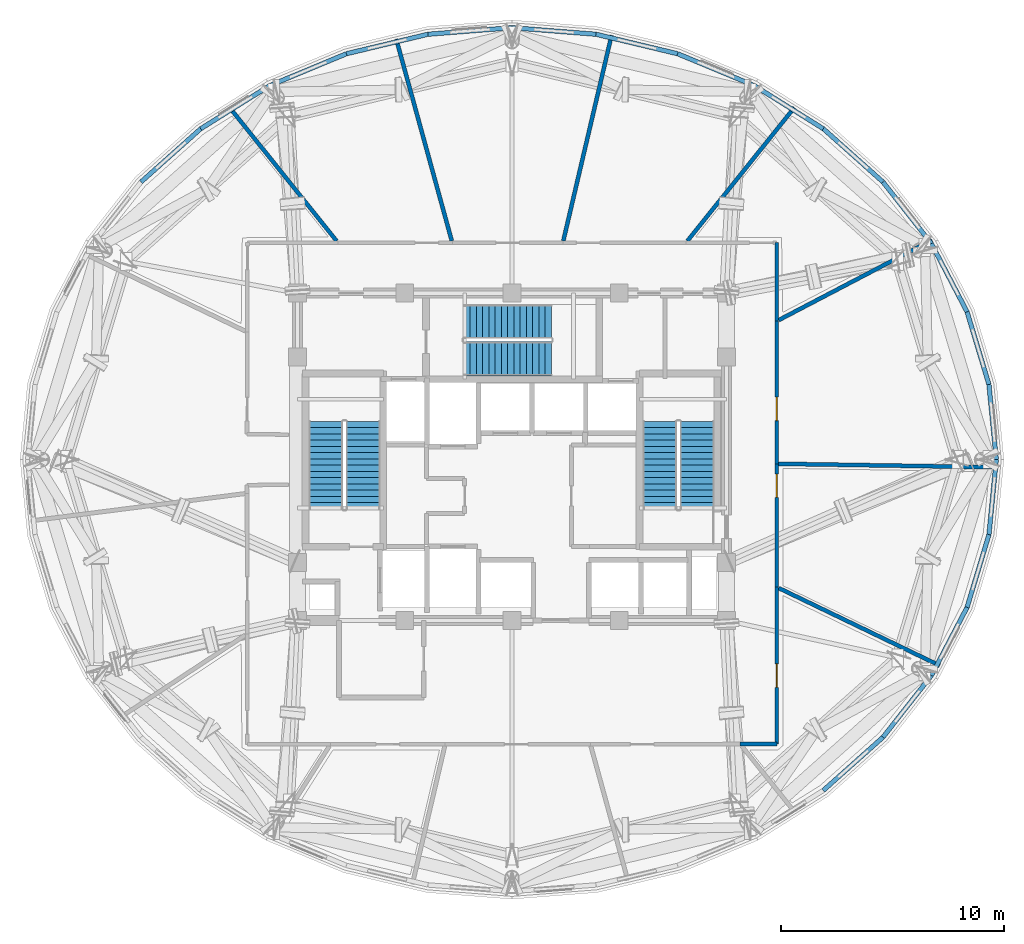
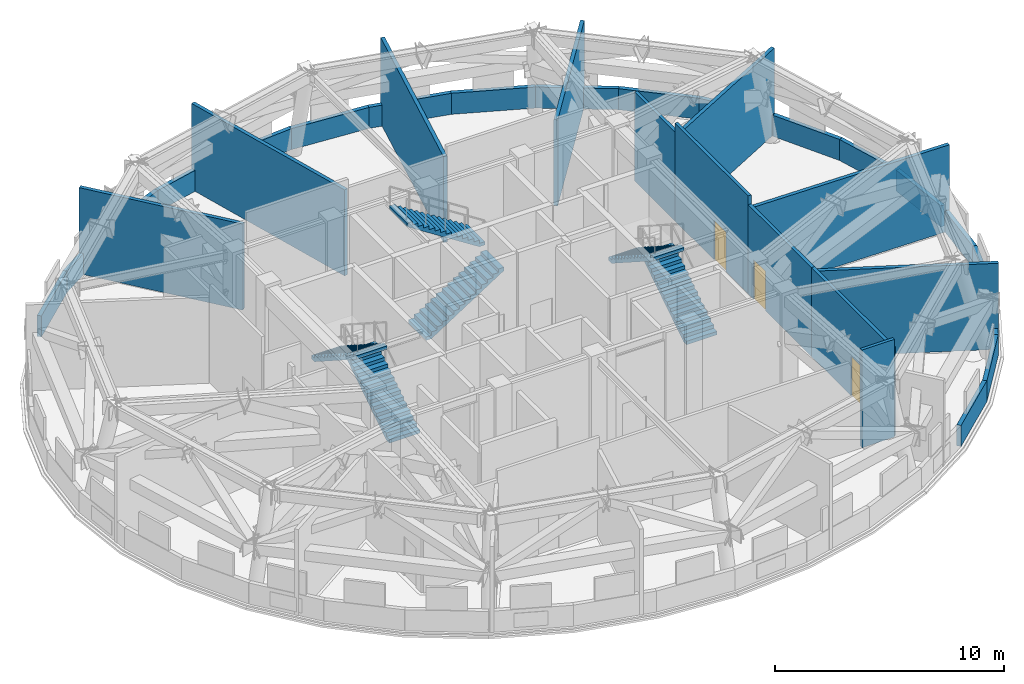
# One storey, part 9 of 13: 31 walls, 6 stair flights, 3 doors, 3 openings, 3 elements without a shape of their own.
"""IFC4 building model written with IfcOpenShell, lengths in metres."""

from ifc_helpers import new_model, si_unit, direction, frame, frame_2d, origin, place, context, subcontext, project, spatial, polyline, rectangle, outline, extrude, material, layer, layer_set, type_object, element, fill, aggregate, save


model = new_model("IFC4")

# Units and contexts
model_context = context("Model", 3, precision=1e-05, world=origin(), true_north=direction((0.0, 1.0)))
body_context = subcontext(model_context, "Body", "Model", "MODEL_VIEW")
ifc_project = project(units=[si_unit("LENGTHUNIT", "METRE"), si_unit("AREAUNIT", "SQUARE_METRE"), si_unit("VOLUMEUNIT", "CUBIC_METRE"), si_unit("PLANEANGLEUNIT", "RADIAN"), si_unit("MASSUNIT", "GRAM", prefix="KILO")], contexts=[model_context])

# Site, building, storey
site_placement = place(None, origin())
site = spatial("IfcSite", under=ifc_project, at=site_placement, CompositionType="ELEMENT")
building_placement = place(site_placement, origin())
building = spatial("IfcBuilding", under=site, at=building_placement, Name="Vantalir Tower", CompositionType="ELEMENT")
storey_placement = place(building_placement, frame((0.0, 0.0, 253.64990234375)))
storey = spatial("IfcBuildingStorey", under=building, at=storey_placement, Name="L64", CompositionType="ELEMENT", Elevation=253.64990234375)

# Wall
ifc_material_1 = material(Name="Fire-rated hotel corridor acoustic partition", Category="gypsum")
ifc_layer_1 = layer(ifc_material_1, 0.159912109375)
ifc_layer_set_1 = layer_set([ifc_layer_1], Name="Fire-rated hotel corridor acoustic partition")
wall_type_1 = type_object("IfcWallType", Name="WL-CORR-160", PredefinedType="PARTITIONING", material=ifc_layer_set_1)
wall_1_placement = place(storey_placement, frame((43.346923828125, 34.7080078125, 0.0), z_axis=(0.0, 0.0, 1.0), x_axis=(0.000625651598, -0.99999980428, 0.0)))
element("IfcWall", 1, at=wall_1_placement, inside=storey, type_object=wall_type_1, Name="L64 Corridor Partition 09", PredefinedType="PARTITIONING", context=body_context, shape_type="SweptSolid", body=[
    extrude(rectangle(XDim=3.511962890625, YDim=0.159912109375, at=frame_2d((1.755859375, 0.0))), origin(), (0.0, 0.0, 1.0), 4.733154296875),
])

# Wall, opening, door
wall_2_placement = place(storey_placement, frame((43.34912109375, 31.196044921875, 0.0), z_axis=(0.0, 0.0, 1.0), x_axis=(0.000458908514, -0.999999894701, 0.0)))
wall_2 = element("IfcWall", 2, at=wall_2_placement, inside=storey, type_object=wall_type_1, Name="L64 Corridor Partition 10", PredefinedType="PARTITIONING", context=body_context, shape_type="SweptSolid", body=[
    extrude(rectangle(XDim=6.384033203125, YDim=0.159912109375, at=frame_2d((3.19189453125, 0.0))), origin(), (0.0, 0.0, 1.0), 5.2001953125),
])
opening_1_placement = place(wall_2_placement, frame((3.404052734375, 0.0, 0.0)))
opening_1 = element("IfcOpeningElement", 3, at=opening_1_placement, cuts=wall_2, Name="Opening D-ST", PredefinedType="OPENING", context=body_context, shape_type="SweptSolid", body=[
    extrude(rectangle(XDim=1.050048828125, YDim=2.10009765625, at=frame_2d((0.52490234375, 1.050048828125))), frame((0.0, 0.08984375, 0.0), z_axis=(0.0, -1.0, 0.0), x_axis=(1.0, 0.0, 0.0)), (0.0, 0.0, 1.0), 0.179931640625),
])
ifc_material_2 = material(Name="Fire-rated steel door leaf", Category="steel")
door_type = type_object("IfcDoorType", Name="DR-FIRE-STAIR-1050", OperationType="NOTDEFINED", PredefinedType="DOOR", material=ifc_material_2)
door_1_placement = place(opening_1_placement, origin())
door_1 = element("IfcDoor", 4, at=door_1_placement, inside=storey, type_object=door_type, Name="L64 Refuge Area East Door", OperationType="SINGLE_SWING_LEFT", OverallHeight=2.10009765625, OverallWidth=1.050048828125, PredefinedType="DOOR", context=body_context, shape_type="SweptSolid", body=[
    extrude(rectangle(XDim=1.050048828125, YDim=2.10009765625, at=frame_2d((0.52490234375, 1.050048828125))), frame((0.0, 0.02490234375, 0.0), z_axis=(0.0, -1.0, 0.0), x_axis=(1.0, 0.0, 0.0)), (0.0, 0.0, 1.0), 0.050048828125),
])
fill(opening_1, door_1)

wall_3_placement = place(storey_placement, frame((43.35205078125, 24.81201171875, 0.0), z_axis=(0.0, 0.0, 1.0), x_axis=(0.000530644659, -0.999999859208, 0.0)))
wall_3 = element("IfcWall", 5, at=wall_3_placement, inside=storey, type_object=wall_type_1, Name="L64 Corridor Partition 11", PredefinedType="PARTITIONING", context=body_context, shape_type="SweptSolid", body=[
    extrude(rectangle(XDim=5.52099609375, YDim=0.159912109375, at=frame_2d((2.760498046875, 0.0))), origin(), (0.0, 0.0, 1.0), 4.733154296875),
])
opening_2_placement = place(wall_3_placement, frame((0.45703125, 0.0, 0.0)))
opening_2 = element("IfcOpeningElement", 6, at=opening_2_placement, cuts=wall_3, Name="Opening D-ST", PredefinedType="OPENING", context=body_context, shape_type="SweptSolid", body=[
    extrude(rectangle(XDim=1.050048828125, YDim=2.10009765625, at=frame_2d((0.52490234375, 1.050048828125))), frame((0.0, 0.08984375, 0.0), z_axis=(0.0, -1.0, 0.0), x_axis=(1.0, 0.0, 0.0)), (0.0, 0.0, 1.0), 0.179931640625),
])
door_2_placement = place(opening_2_placement, origin())
door_2 = element("IfcDoor", 7, at=door_2_placement, inside=storey, type_object=door_type, Name="L64 BMS Control Mechanical Plant Room Door", OperationType="SINGLE_SWING_RIGHT", OverallHeight=2.10009765625, OverallWidth=1.050048828125, PredefinedType="DOOR", context=body_context, shape_type="SweptSolid", body=[
    extrude(rectangle(XDim=1.050048828125, YDim=2.10009765625, at=frame_2d((0.52490234375, 1.050048828125))), frame((0.0, 0.02490234375, 0.0), z_axis=(0.0, -1.0, 0.0), x_axis=(1.0, 0.0, 0.0)), (0.0, 0.0, 1.0), 0.050048828125),
])
fill(opening_2, door_2)

wall_4_placement = place(storey_placement, frame((43.35498046875, 19.291015625, 0.0), z_axis=(0.0, 0.0, 1.0), x_axis=(0.00041715911, -0.999999912989, 0.0)))
wall_4 = element("IfcWall", 8, at=wall_4_placement, inside=storey, type_object=wall_type_1, Name="L64 Corridor Partition 12", PredefinedType="PARTITIONING", context=body_context, shape_type="SweptSolid", body=[
    extrude(rectangle(XDim=7.02294921875, YDim=0.159912109375, at=frame_2d((3.511474609375, 0.0))), origin(), (0.0, 0.0, 1.0), 4.733154296875),
])
opening_3_placement = place(wall_4_placement, frame((3.43310546875, 0.0, 0.0)))
opening_3 = element("IfcOpeningElement", 9, at=opening_3_placement, cuts=wall_4, Name="Opening D-ST", PredefinedType="OPENING", context=body_context, shape_type="SweptSolid", body=[
    extrude(rectangle(XDim=1.050048828125, YDim=2.10009765625, at=frame_2d((0.52490234375, 1.050048828125))), frame((0.0, 0.08984375, 0.0), z_axis=(0.0, -1.0, 0.0), x_axis=(1.0, 0.0, 0.0)), (0.0, 0.0, 1.0), 0.179931640625),
])
door_3_placement = place(opening_3_placement, origin())
door_3 = element("IfcDoor", 10, at=door_3_placement, inside=storey, type_object=door_type, Name="L64 Stair Pressurisation Fan Plant Room Door", OperationType="SINGLE_SWING_LEFT", OverallHeight=2.10009765625, OverallWidth=1.050048828125, PredefinedType="DOOR", context=body_context, shape_type="SweptSolid", body=[
    extrude(rectangle(XDim=1.050048828125, YDim=2.10009765625, at=frame_2d((0.52490234375, 1.050048828125))), frame((0.0, 0.02490234375, 0.0), z_axis=(0.0, -1.0, 0.0), x_axis=(1.0, 0.0, 0.0)), (0.0, 0.0, 1.0), 0.050048828125),
])
fill(opening_3, door_3)

# Walls
wall_5_placement = place(storey_placement, frame((43.35791015625, 12.26806640625, 0.0), z_axis=(0.0, 0.0, 1.0), x_axis=(-0.999999823791, -0.000593647862, 0.0)))
element("IfcWall", 11, at=wall_5_placement, inside=storey, type_object=wall_type_1, Name="L64 Corridor Partition 13", PredefinedType="PARTITIONING", context=body_context, shape_type="SweptSolid", body=[
    extrude(rectangle(XDim=1.64501953125, YDim=0.159912109375, at=frame_2d((0.822509765625, 0.0))), origin(), (0.0, 0.0, 1.0), 5.2001953125),
])
ifc_material_3 = material(Name="Twin-stud acoustic fire-rated gypsum partition", Category="gypsum")
ifc_layer_2 = layer(ifc_material_3, 0.179931640625)
ifc_layer_set_2 = layer_set([ifc_layer_2], Name="Twin-stud acoustic fire-rated gypsum partition")
wall_type_2 = type_object("IfcWallType", Name="WL-GUEST-180", PredefinedType="PARTITIONING", material=ifc_layer_set_2)
wall_6_placement = place(storey_placement, frame((43.43994140625, 24.81103515625, 0.0), z_axis=(0.0, 0.0, 1.0), x_axis=(0.999875563503, -0.015775218218, 0.0)))
element("IfcWall", 12, at=wall_6_placement, inside=storey, type_object=wall_type_2, Name="L64 Radial Suite Partition 01", PredefinedType="PARTITIONING", context=body_context, shape_type="SweptSolid", body=[
    extrude(rectangle(XDim=9.827392578125, YDim=0.179931640625, at=frame_2d((4.91357421875, 0.0))), origin(), (0.0, 0.0, 1.0), 4.5751953125),
])
wall_7_placement = place(storey_placement, frame((43.43994140625, 31.243896484375, 0.0), z_axis=(0.0, 0.0, 1.0), x_axis=(0.886132697357, 0.463431594385, 0.0)))
element("IfcWall", 13, at=wall_7_placement, inside=storey, type_object=wall_type_2, Name="L64 Radial Suite Partition 02", PredefinedType="PARTITIONING", context=body_context, shape_type="SweptSolid", body=[
    extrude(rectangle(XDim=7.73828125, YDim=0.179931640625, at=frame_2d((3.869140625, 0.0))), origin(), (0.0, 0.0, 1.0), 4.5751953125),
])
wall_8_placement = place(storey_placement, frame((39.35302734375, 34.7900390625, 0.0), z_axis=(0.0, 0.0, 1.0), x_axis=(0.62562461259, 0.780124249156, 0.0)))
element("IfcWall", 14, at=wall_8_placement, inside=storey, type_object=wall_type_2, Name="L64 Radial Suite Partition 03", PredefinedType="PARTITIONING", context=body_context, shape_type="SweptSolid", body=[
    extrude(rectangle(XDim=7.6513671875, YDim=0.179931640625, at=frame_2d((3.82568359375, 0.0))), origin(), (0.0, 0.0, 1.0), 4.5751953125),
])
wall_9_placement = place(storey_placement, frame((33.797119140625, 34.7900390625, 0.0), z_axis=(0.0, 0.0, 1.0), x_axis=(0.22849108233, 0.973546005742, 0.0)))
element("IfcWall", 15, at=wall_9_placement, inside=storey, type_object=wall_type_2, Name="L64 Radial Suite Partition 04", PredefinedType="PARTITIONING", context=body_context, shape_type="SweptSolid", body=[
    extrude(rectangle(XDim=9.457275390625, YDim=0.179931640625, at=frame_2d((4.728515625, 0.0))), origin(), (0.0, 0.0, 1.0), 4.5751953125),
])
wall_10_placement = place(storey_placement, frame((28.804931640625, 34.7900390625, 0.0), z_axis=(0.0, 0.0, 1.0), x_axis=(-0.265402950907, 0.96413758025, 0.0)))
element("IfcWall", 16, at=wall_10_placement, inside=storey, type_object=wall_type_2, Name="L64 Radial Suite Partition 05", PredefinedType="PARTITIONING", context=body_context, shape_type="SweptSolid", body=[
    extrude(rectangle(XDim=9.369873046875, YDim=0.179931640625, at=frame_2d((4.68505859375, 0.0))), origin(), (0.0, 0.0, 1.0), 4.5751953125),
])
wall_11_placement = place(storey_placement, frame((23.64697265625, 34.7900390625, 0.0), z_axis=(0.0, 0.0, 1.0), x_axis=(-0.62562461259, 0.780124249156, 0.0)))
element("IfcWall", 17, at=wall_11_placement, inside=storey, type_object=wall_type_2, Name="L64 Radial Suite Partition 06", PredefinedType="PARTITIONING", context=body_context, shape_type="SweptSolid", body=[
    extrude(rectangle(XDim=7.6513671875, YDim=0.179931640625, at=frame_2d((3.82568359375, 0.0))), origin(), (0.0, 0.0, 1.0), 4.5751953125),
])
wall_12_placement = place(storey_placement, frame((43.43994140625, 19.25, 0.0), z_axis=(0.0, 0.0, 1.0), x_axis=(0.900936685767, -0.433950559672, 0.0)))
element("IfcWall", 18, at=wall_12_placement, inside=storey, type_object=wall_type_2, Name="L64 Radial Suite Partition 14", PredefinedType="PARTITIONING", context=body_context, shape_type="SweptSolid", body=[
    extrude(rectangle(XDim=7.996337890625, YDim=0.179931640625, at=frame_2d((3.998046875, 0.0))), origin(), (0.0, 0.0, 1.0), 4.5751953125),
])
ifc_material_4 = material(Name="Concrete C40/50 parapet upstand", Category="concrete")
ifc_layer_3 = layer(ifc_material_4, 0.199951171875)
ifc_layer_set_3 = layer_set([ifc_layer_3], Name="Concrete C40/50 parapet upstand")
wall_type_3 = type_object("IfcWallType", Name="WL-PARA-200", PredefinedType="PARAPET", material=ifc_layer_set_3)
wall_13_placement = place(storey_placement, frame((53.179931640625, 25.0, 0.0), z_axis=(0.0, 0.0, 1.0), x_axis=(-0.097496920609, 0.995235826562, 0.0)))
element("IfcWall", 19, at=wall_13_placement, inside=storey, type_object=wall_type_3, Name="L64 Refuge Perimeter Parapet R01", PredefinedType="PARAPET", context=body_context, shape_type="SweptSolid", body=[
    extrude(rectangle(XDim=3.373046875, YDim=0.199951171875, at=frame_2d((1.6865234375, 0.0))), origin(), (0.0, 0.0, 1.0), 1.1201171875),
])
wall_14_placement = place(storey_placement, frame((52.85107421875, 28.35693359375, 0.0), z_axis=(0.0, 0.0, 1.0), x_axis=(-0.287670684646, 0.957729386202, 0.0)))
element("IfcWall", 20, at=wall_14_placement, inside=storey, type_object=wall_type_3, Name="L64 Refuge Perimeter Parapet R02", PredefinedType="PARAPET", context=body_context, shape_type="SweptSolid", body=[
    extrude(rectangle(XDim=3.39990234375, YDim=0.199951171875, at=frame_2d((1.699951171875, 0.0))), origin(), (0.0, 0.0, 1.0), 1.1201171875),
])
wall_15_placement = place(storey_placement, frame((51.873046875, 31.613037109375, 0.0), z_axis=(0.0, 0.0, 1.0), x_axis=(-0.463654949237, 0.886015850901, 0.0)))
element("IfcWall", 21, at=wall_15_placement, inside=storey, type_object=wall_type_3, Name="L64 Refuge Perimeter Parapet R03", PredefinedType="PARAPET", context=body_context, shape_type="SweptSolid", body=[
    extrude(rectangle(XDim=3.44677734375, YDim=0.199951171875, at=frame_2d((1.723388671875, 0.0))), origin(), (0.0, 0.0, 1.0), 1.1201171875),
])
wall_16_placement = place(storey_placement, frame((50.27490234375, 34.6669921875, 0.0), z_axis=(0.0, 0.0, 1.0), x_axis=(-0.617406744437, 0.786644082113, 0.0)))
element("IfcWall", 22, at=wall_16_placement, inside=storey, type_object=wall_type_3, Name="L64 Refuge Perimeter Parapet R04", PredefinedType="PARAPET", context=body_context, shape_type="SweptSolid", body=[
    extrude(rectangle(XDim=3.509765625, YDim=0.199951171875, at=frame_2d((1.7548828125, 0.0))), origin(), (0.0, 0.0, 1.0), 1.1201171875),
])
wall_17_placement = place(storey_placement, frame((48.10791015625, 37.427978515625, 0.0), z_axis=(0.0, 0.0, 1.0), x_axis=(-0.74629085689, 0.665619979359, 0.0)))
element("IfcWall", 23, at=wall_17_placement, inside=storey, type_object=wall_type_3, Name="L64 Refuge Perimeter Parapet R05", PredefinedType="PARAPET", context=body_context, shape_type="SweptSolid", body=[
    extrude(rectangle(XDim=3.580322265625, YDim=0.199951171875, at=frame_2d((1.7900390625, 0.0))), origin(), (0.0, 0.0, 1.0), 1.1201171875),
])
wall_18_placement = place(storey_placement, frame((45.43603515625, 39.81103515625, 0.0), z_axis=(0.0, 0.0, 1.0), x_axis=(-0.84825750298, 0.529583995828, 0.0)))
element("IfcWall", 24, at=wall_18_placement, inside=storey, type_object=wall_type_3, Name="L64 Refuge Perimeter Parapet R06", PredefinedType="PARAPET", context=body_context, shape_type="SweptSolid", body=[
    extrude(rectangle(XDim=3.649658203125, YDim=0.199951171875, at=frame_2d((1.82470703125, 0.0))), origin(), (0.0, 0.0, 1.0), 1.1201171875),
])
wall_19_placement = place(storey_placement, frame((42.340087890625, 41.743896484375, 0.0), z_axis=(0.0, 0.0, 1.0), x_axis=(-0.92336680677, 0.383918923935, 0.0)))
element("IfcWall", 25, at=wall_19_placement, inside=storey, type_object=wall_type_3, Name="L64 Refuge Perimeter Parapet R07", PredefinedType="PARAPET", context=body_context, shape_type="SweptSolid", body=[
    extrude(rectangle(XDim=3.709228515625, YDim=0.199951171875, at=frame_2d((1.8544921875, 0.0))), origin(), (0.0, 0.0, 1.0), 1.1201171875),
])
wall_20_placement = place(storey_placement, frame((38.9150390625, 43.16796875, 0.0), z_axis=(0.0, 0.0, 1.0), x_axis=(-0.972626535049, 0.23237388691, 0.0)))
element("IfcWall", 26, at=wall_20_placement, inside=storey, type_object=wall_type_3, Name="L64 Refuge Perimeter Parapet R08", PredefinedType="PARAPET", context=body_context, shape_type="SweptSolid", body=[
    extrude(rectangle(XDim=3.7529296875, YDim=0.199951171875, at=frame_2d((1.87646484375, 0.0))), origin(), (0.0, 0.0, 1.0), 1.1201171875),
])
for number, where, z_axis, x_axis, name in (
    (27, (35.264892578125, 44.0400390625, 0.0), (0.0, 0.0, 1.0), (-0.996965983674, 0.077838469901, 0.0), "L64 Refuge Perimeter Parapet R09"),
    (28, (31.5, 44.333984375, 0.0), (0.0, 0.0, 1.0), (-0.996965983674, -0.077838469901, 0.0), "L64 Refuge Perimeter Parapet R10"),
):
    element("IfcWall", number, at=place(storey_placement, frame(where, z_axis=z_axis, x_axis=x_axis)), inside=storey, type_object=wall_type_3, Name=name, PredefinedType="PARAPET", context=body_context, shape_type="SweptSolid", body=[
        extrude(rectangle(XDim=3.7763671875, YDim=0.199951171875, at=frame_2d((1.88818359375, 0.0))), origin(), (0.0, 0.0, 1.0), 1.1201171875),
    ])
wall_21_placement = place(storey_placement, frame((27.735107421875, 44.0400390625, 0.0), z_axis=(0.0, 0.0, 1.0), x_axis=(-0.972626535049, -0.23237388691, 0.0)))
element("IfcWall", 29, at=wall_21_placement, inside=storey, type_object=wall_type_3, Name="L64 Refuge Perimeter Parapet R11", PredefinedType="PARAPET", context=body_context, shape_type="SweptSolid", body=[
    extrude(rectangle(XDim=3.7529296875, YDim=0.199951171875, at=frame_2d((1.87646484375, 0.0))), origin(), (0.0, 0.0, 1.0), 1.1201171875),
])
wall_22_placement = place(storey_placement, frame((24.0849609375, 43.16796875, 0.0), z_axis=(0.0, 0.0, 1.0), x_axis=(-0.92336680677, -0.383918923935, 0.0)))
element("IfcWall", 30, at=wall_22_placement, inside=storey, type_object=wall_type_3, Name="L64 Refuge Perimeter Parapet R12", PredefinedType="PARAPET", context=body_context, shape_type="SweptSolid", body=[
    extrude(rectangle(XDim=3.709228515625, YDim=0.199951171875, at=frame_2d((1.8544921875, 0.0))), origin(), (0.0, 0.0, 1.0), 1.1201171875),
])
wall_23_placement = place(storey_placement, frame((20.659912109375, 41.743896484375, 0.0), z_axis=(0.0, 0.0, 1.0), x_axis=(-0.84825750298, -0.529583995828, 0.0)))
element("IfcWall", 31, at=wall_23_placement, inside=storey, type_object=wall_type_3, Name="L64 Refuge Perimeter Parapet R13", PredefinedType="PARAPET", context=body_context, shape_type="SweptSolid", body=[
    extrude(rectangle(XDim=3.649658203125, YDim=0.199951171875, at=frame_2d((1.82470703125, 0.0))), origin(), (0.0, 0.0, 1.0), 1.1201171875),
])
for number, where, z_axis, x_axis, name in (
    (32, (17.56396484375, 39.81103515625, 0.0), (0.0, 0.0, 1.0), (-0.74629085689, -0.665619979359, 0.0), "L64 Refuge Perimeter Parapet R14"),
    (33, (45.43603515625, 10.18896484375, 0.0), (0.0, 0.0, 1.0), (0.74629085689, 0.665619979359, 0.0), "L64 Refuge Perimeter Parapet R32"),
):
    element("IfcWall", number, at=place(storey_placement, frame(where, z_axis=z_axis, x_axis=x_axis)), inside=storey, type_object=wall_type_3, Name=name, PredefinedType="PARAPET", context=body_context, shape_type="SweptSolid", body=[
        extrude(rectangle(XDim=3.580322265625, YDim=0.199951171875, at=frame_2d((1.7900390625, 0.0))), origin(), (0.0, 0.0, 1.0), 1.1201171875),
    ])
wall_24_placement = place(storey_placement, frame((48.10791015625, 12.572021484375, 0.0), z_axis=(0.0, 0.0, 1.0), x_axis=(0.617406744437, 0.786644082113, 0.0)))
element("IfcWall", 34, at=wall_24_placement, inside=storey, type_object=wall_type_3, Name="L64 Refuge Perimeter Parapet R33", PredefinedType="PARAPET", context=body_context, shape_type="SweptSolid", body=[
    extrude(rectangle(XDim=3.509765625, YDim=0.199951171875, at=frame_2d((1.7548828125, 0.0))), origin(), (0.0, 0.0, 1.0), 1.1201171875),
])
wall_25_placement = place(storey_placement, frame((50.27490234375, 15.3330078125, 0.0), z_axis=(0.0, 0.0, 1.0), x_axis=(0.463654949237, 0.886015850901, 0.0)))
element("IfcWall", 35, at=wall_25_placement, inside=storey, type_object=wall_type_3, Name="L64 Refuge Perimeter Parapet R34", PredefinedType="PARAPET", context=body_context, shape_type="SweptSolid", body=[
    extrude(rectangle(XDim=3.44677734375, YDim=0.199951171875, at=frame_2d((1.723388671875, 0.0))), origin(), (0.0, 0.0, 1.0), 1.1201171875),
])
wall_26_placement = place(storey_placement, frame((51.873046875, 18.386962890625, 0.0), z_axis=(0.0, 0.0, 1.0), x_axis=(0.287670684646, 0.957729386202, 0.0)))
element("IfcWall", 36, at=wall_26_placement, inside=storey, type_object=wall_type_3, Name="L64 Refuge Perimeter Parapet R35", PredefinedType="PARAPET", context=body_context, shape_type="SweptSolid", body=[
    extrude(rectangle(XDim=3.39990234375, YDim=0.199951171875, at=frame_2d((1.699951171875, 0.0))), origin(), (0.0, 0.0, 1.0), 1.1201171875),
])
wall_27_placement = place(storey_placement, frame((52.85107421875, 21.64306640625, 0.0), z_axis=(0.0, 0.0, 1.0), x_axis=(0.097496920609, 0.995235826562, 0.0)))
element("IfcWall", 37, at=wall_27_placement, inside=storey, type_object=wall_type_3, Name="L64 Refuge Perimeter Parapet R36", PredefinedType="PARAPET", context=body_context, shape_type="SweptSolid", body=[
    extrude(rectangle(XDim=3.373046875, YDim=0.199951171875, at=frame_2d((1.6865234375, 0.0))), origin(), (0.0, 0.0, 1.0), 1.1201171875),
])

# Stair, stair flights
ifc_material_5 = material(Name="Concrete C40/50", Category="concrete")
stair_type = type_object("IfcStairType", Name="STR-CORE-1450", PredefinedType="HALF_TURN_STAIR", material=ifc_material_5)
stair_1_placement = place(storey_placement, origin())
stair_1 = element("IfcStair", 38, at=stair_1_placement, inside=storey, type_object=stair_type, Name="L64 Core Exit Stair 1", PredefinedType="HALF_TURN_STAIR")
stair_flight_type = type_object("IfcStairFlightType", Name="FLT-CORE-1450", PredefinedType="STRAIGHT", material=ifc_material_5)
stair_flight_1_placement = place(storey_placement, frame((24.830078125, 22.7900390625, 0.0), z_axis=(0.0, 0.0, 1.0), x_axis=(0.0, 1.0, 0.0)))
stair_flight_1 = element("IfcStairFlight", 39, at=stair_flight_1_placement, type_object=stair_flight_type, Name="ST1 flight 1", NumberOfRisers=15, NumberOfTreads=14, PredefinedType="STRAIGHT", RiserHeight=0.18, TreadLength=0.28, context=body_context, shape_type="SweptSolid", body=[
    extrude(outline(polyline([(0.0, 0.0), (0.0, 0.179931640625), (0.280029296875, 0.179931640625), (0.280029296875, 0.360107421875), (0.56005859375, 0.360107421875), (0.56005859375, 0.5400390625), (0.840087890625, 0.5400390625), (0.840087890625, 0.719970703125), (1.1201171875, 0.719970703125), (1.1201171875, 0.89990234375), (1.39990234375, 0.89990234375), (1.39990234375, 1.080078125), (1.679931640625, 1.080078125), (1.679931640625, 1.260009765625), (1.9599609375, 1.260009765625), (1.9599609375, 1.43994140625), (2.239990234375, 1.43994140625), (2.239990234375, 1.6201171875), (2.52001953125, 1.6201171875), (2.52001953125, 1.800048828125), (2.800048828125, 1.800048828125), (2.800048828125, 1.97998046875), (3.080078125, 1.97998046875), (3.080078125, 2.159912109375), (3.360107421875, 2.159912109375), (3.360107421875, 2.340087890625), (3.639892578125, 2.340087890625), (3.639892578125, 2.52001953125), (3.919921875, 2.52001953125), (3.919921875, 2.699951171875), (3.919921875, 2.341796875), (0.277099609375, 0.0), (0.0, 0.0)])), frame((0.0, 0.77001953125, 0.0), z_axis=(0.0, -1.0, 0.0), x_axis=(1.0, 0.0, 0.0)), (0.0, 0.0, 1.0), 1.5400390625),
])
stair_flight_2_placement = place(storey_placement, frame((23.169921875, 26.7099609375, 2.7001953125), z_axis=(0.0, 0.0, 1.0), x_axis=(0.0, -1.0, 0.0)))
stair_flight_2 = element("IfcStairFlight", 40, at=stair_flight_2_placement, type_object=stair_flight_type, Name="ST1 flight 2", NumberOfRisers=15, NumberOfTreads=14, PredefinedType="STRAIGHT", RiserHeight=0.18, TreadLength=0.28, context=body_context, shape_type="SweptSolid", body=[
    extrude(outline(polyline([(0.0, 0.0), (0.0, 0.179931640625), (0.280029296875, 0.179931640625), (0.280029296875, 0.360107421875), (0.56005859375, 0.360107421875), (0.56005859375, 0.5400390625), (0.840087890625, 0.5400390625), (0.840087890625, 0.719970703125), (1.1201171875, 0.719970703125), (1.1201171875, 0.89990234375), (1.39990234375, 0.89990234375), (1.39990234375, 1.080078125), (1.679931640625, 1.080078125), (1.679931640625, 1.260009765625), (1.9599609375, 1.260009765625), (1.9599609375, 1.43994140625), (2.239990234375, 1.43994140625), (2.239990234375, 1.6201171875), (2.52001953125, 1.6201171875), (2.52001953125, 1.800048828125), (2.800048828125, 1.800048828125), (2.800048828125, 1.97998046875), (3.080078125, 1.97998046875), (3.080078125, 2.159912109375), (3.360107421875, 2.159912109375), (3.360107421875, 2.340087890625), (3.639892578125, 2.340087890625), (3.639892578125, 2.52001953125), (3.919921875, 2.52001953125), (3.919921875, 2.699951171875), (3.919921875, 2.341796875), (0.277099609375, 0.0), (0.0, 0.0)])), frame((0.0, 0.77001953125, 0.0), z_axis=(0.0, -1.0, 0.0), x_axis=(1.0, 0.0, 0.0)), (0.0, 0.0, 1.0), 1.5400390625),
])
aggregate(stair_1, [stair_flight_1, stair_flight_2])

stair_2_placement = place(storey_placement, origin())
stair_2 = element("IfcStair", 41, at=stair_2_placement, inside=storey, type_object=stair_type, Name="L64 Core Exit Stair 2", PredefinedType="HALF_TURN_STAIR")
stair_flight_3_placement = place(storey_placement, frame((39.780029296875, 22.7900390625, 0.0), z_axis=(0.0, 0.0, 1.0), x_axis=(0.0, 1.0, 0.0)))
stair_flight_3 = element("IfcStairFlight", 42, at=stair_flight_3_placement, type_object=stair_flight_type, Name="ST2 flight 1", NumberOfRisers=15, NumberOfTreads=14, PredefinedType="STRAIGHT", RiserHeight=0.18, TreadLength=0.28, context=body_context, shape_type="SweptSolid", body=[
    extrude(outline(polyline([(0.0, 0.0), (0.0, 0.179931640625), (0.280029296875, 0.179931640625), (0.280029296875, 0.360107421875), (0.56005859375, 0.360107421875), (0.56005859375, 0.5400390625), (0.840087890625, 0.5400390625), (0.840087890625, 0.719970703125), (1.1201171875, 0.719970703125), (1.1201171875, 0.89990234375), (1.39990234375, 0.89990234375), (1.39990234375, 1.080078125), (1.679931640625, 1.080078125), (1.679931640625, 1.260009765625), (1.9599609375, 1.260009765625), (1.9599609375, 1.43994140625), (2.239990234375, 1.43994140625), (2.239990234375, 1.6201171875), (2.52001953125, 1.6201171875), (2.52001953125, 1.800048828125), (2.800048828125, 1.800048828125), (2.800048828125, 1.97998046875), (3.080078125, 1.97998046875), (3.080078125, 2.159912109375), (3.360107421875, 2.159912109375), (3.360107421875, 2.340087890625), (3.639892578125, 2.340087890625), (3.639892578125, 2.52001953125), (3.919921875, 2.52001953125), (3.919921875, 2.699951171875), (3.919921875, 2.341796875), (0.277099609375, 0.0), (0.0, 0.0)])), frame((0.0, 0.77001953125, 0.0), z_axis=(0.0, -1.0, 0.0), x_axis=(1.0, 0.0, 0.0)), (0.0, 0.0, 1.0), 1.5400390625),
])
stair_flight_4_placement = place(storey_placement, frame((38.1201171875, 26.7099609375, 2.7001953125), z_axis=(0.0, 0.0, 1.0), x_axis=(0.0, -1.0, 0.0)))
stair_flight_4 = element("IfcStairFlight", 43, at=stair_flight_4_placement, type_object=stair_flight_type, Name="ST2 flight 2", NumberOfRisers=15, NumberOfTreads=14, PredefinedType="STRAIGHT", RiserHeight=0.18, TreadLength=0.28, context=body_context, shape_type="SweptSolid", body=[
    extrude(outline(polyline([(0.0, 0.0), (0.0, 0.179931640625), (0.280029296875, 0.179931640625), (0.280029296875, 0.360107421875), (0.56005859375, 0.360107421875), (0.56005859375, 0.5400390625), (0.840087890625, 0.5400390625), (0.840087890625, 0.719970703125), (1.1201171875, 0.719970703125), (1.1201171875, 0.89990234375), (1.39990234375, 0.89990234375), (1.39990234375, 1.080078125), (1.679931640625, 1.080078125), (1.679931640625, 1.260009765625), (1.9599609375, 1.260009765625), (1.9599609375, 1.43994140625), (2.239990234375, 1.43994140625), (2.239990234375, 1.6201171875), (2.52001953125, 1.6201171875), (2.52001953125, 1.800048828125), (2.800048828125, 1.800048828125), (2.800048828125, 1.97998046875), (3.080078125, 1.97998046875), (3.080078125, 2.159912109375), (3.360107421875, 2.159912109375), (3.360107421875, 2.340087890625), (3.639892578125, 2.340087890625), (3.639892578125, 2.52001953125), (3.919921875, 2.52001953125), (3.919921875, 2.699951171875), (3.919921875, 2.341796875), (0.277099609375, 0.0), (0.0, 0.0)])), frame((0.0, 0.77001953125, 0.0), z_axis=(0.0, -1.0, 0.0), x_axis=(1.0, 0.0, 0.0)), (0.0, 0.0, 1.0), 1.5400390625),
])
aggregate(stair_2, [stair_flight_3, stair_flight_4])

stair_3_placement = place(storey_placement, origin())
stair_3 = element("IfcStair", 44, at=stair_3_placement, inside=storey, type_object=stair_type, Name="L64 Core Exit Stair 3", PredefinedType="HALF_TURN_STAIR")
stair_flight_5_placement = place(storey_placement, frame((29.340087890625, 29.52001953125, 0.0), z_axis=(0.0, 0.0, 1.0), x_axis=(1.0, 0.0, 0.0)))
stair_flight_5 = element("IfcStairFlight", 45, at=stair_flight_5_placement, type_object=stair_flight_type, Name="ST3 flight 1", NumberOfRisers=15, NumberOfTreads=14, PredefinedType="STRAIGHT", RiserHeight=0.18, TreadLength=0.28, context=body_context, shape_type="SweptSolid", body=[
    extrude(outline(polyline([(0.0, 0.0), (0.0, 0.179931640625), (0.280029296875, 0.179931640625), (0.280029296875, 0.360107421875), (0.56005859375, 0.360107421875), (0.56005859375, 0.5400390625), (0.840087890625, 0.5400390625), (0.840087890625, 0.719970703125), (1.1201171875, 0.719970703125), (1.1201171875, 0.89990234375), (1.39990234375, 0.89990234375), (1.39990234375, 1.080078125), (1.679931640625, 1.080078125), (1.679931640625, 1.260009765625), (1.9599609375, 1.260009765625), (1.9599609375, 1.43994140625), (2.239990234375, 1.43994140625), (2.239990234375, 1.6201171875), (2.52001953125, 1.6201171875), (2.52001953125, 1.800048828125), (2.800048828125, 1.800048828125), (2.800048828125, 1.97998046875), (3.080078125, 1.97998046875), (3.080078125, 2.159912109375), (3.360107421875, 2.159912109375), (3.360107421875, 2.340087890625), (3.639892578125, 2.340087890625), (3.639892578125, 2.52001953125), (3.919921875, 2.52001953125), (3.919921875, 2.699951171875), (3.919921875, 2.341796875), (0.277099609375, 0.0), (0.0, 0.0)])), frame((0.0, 0.77001953125, 0.0), z_axis=(0.0, -1.0, 0.0), x_axis=(1.0, 0.0, 0.0)), (0.0, 0.0, 1.0), 1.5400390625),
])
stair_flight_6_placement = place(storey_placement, frame((33.260009765625, 31.179931640625, 2.7001953125), z_axis=(0.0, 0.0, 1.0), x_axis=(-1.0, 0.0, 0.0)))
stair_flight_6 = element("IfcStairFlight", 46, at=stair_flight_6_placement, type_object=stair_flight_type, Name="ST3 flight 2", NumberOfRisers=15, NumberOfTreads=14, PredefinedType="STRAIGHT", RiserHeight=0.18, TreadLength=0.28, context=body_context, shape_type="SweptSolid", body=[
    extrude(outline(polyline([(0.0, 0.0), (0.0, 0.179931640625), (0.280029296875, 0.179931640625), (0.280029296875, 0.360107421875), (0.56005859375, 0.360107421875), (0.56005859375, 0.5400390625), (0.840087890625, 0.5400390625), (0.840087890625, 0.719970703125), (1.1201171875, 0.719970703125), (1.1201171875, 0.89990234375), (1.39990234375, 0.89990234375), (1.39990234375, 1.080078125), (1.679931640625, 1.080078125), (1.679931640625, 1.260009765625), (1.9599609375, 1.260009765625), (1.9599609375, 1.43994140625), (2.239990234375, 1.43994140625), (2.239990234375, 1.6201171875), (2.52001953125, 1.6201171875), (2.52001953125, 1.800048828125), (2.800048828125, 1.800048828125), (2.800048828125, 1.97998046875), (3.080078125, 1.97998046875), (3.080078125, 2.159912109375), (3.360107421875, 2.159912109375), (3.360107421875, 2.340087890625), (3.639892578125, 2.340087890625), (3.639892578125, 2.52001953125), (3.919921875, 2.52001953125), (3.919921875, 2.699951171875), (3.919921875, 2.341796875), (0.277099609375, 0.0), (0.0, 0.0)])), frame((0.0, 0.77001953125, 0.0), z_axis=(0.0, -1.0, 0.0), x_axis=(1.0, 0.0, 0.0)), (0.0, 0.0, 1.0), 1.5400390625),
])
aggregate(stair_3, [stair_flight_5, stair_flight_6])

save(model, "model.ifc")
